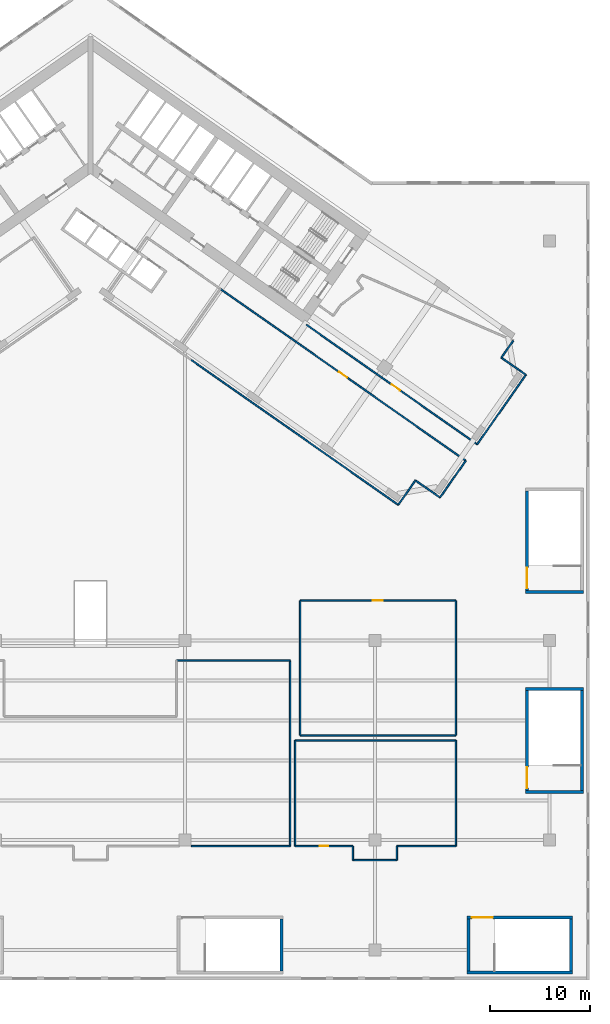
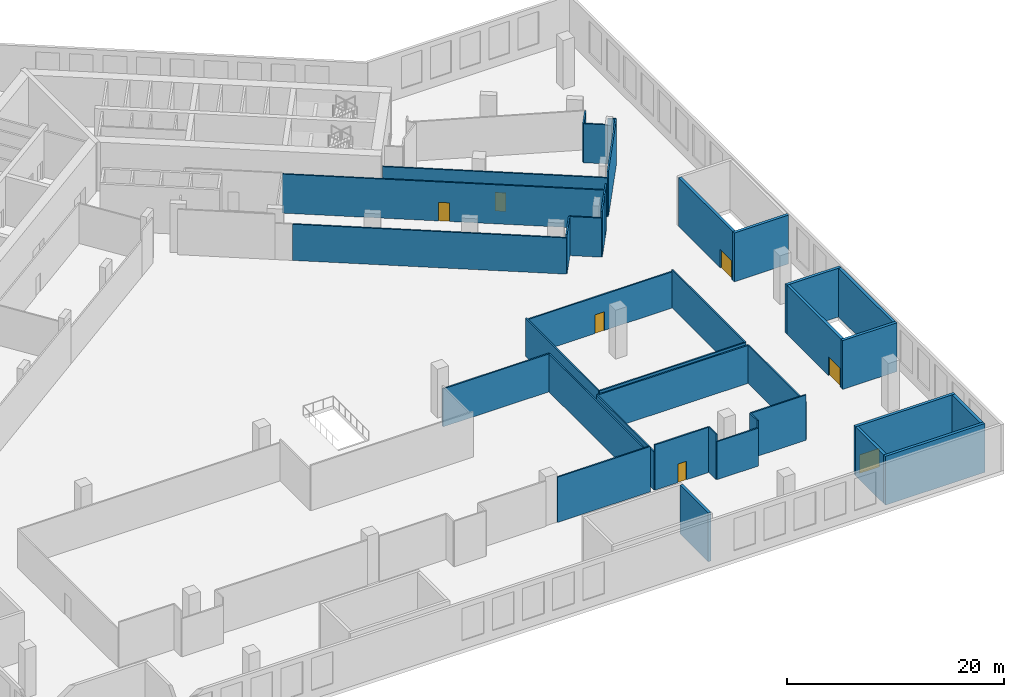
# One storey, part 6 of 15: 37 walls, 7 doors, 7 openings.
"""IFC4 building model written with IfcOpenShell, lengths in metres."""

import ifcopenshell
import ifcopenshell.guid

model = None  # the IFC model being written
_history = None  # IfcOwnerHistory: only IFC2X3 demands one
_inside = {}  # id of a spatial element -> (the spatial element, [elements in it])
_under = {}  # id of a project, library or spatial element -> (it, [spatial elements below it])
_declared = {}  # id of a project -> (the project, [libraries it declares])
_typed = {}  # id of a type object -> (the type object, [elements of that type])
_made_of = {}  # id of a material, layer set ... -> (it, [elements and type objects made of it])


def new_model(schema):
    """Start an empty IFC model of exactly this schema.

    Asked for "IFC4X3", IfcOpenShell would pick the latest addendum, in which some entities
    have other attributes; the version numbers below select the first issue.
    IFC2X3 requires an IfcOwnerHistory on every rooted entity: one is made here for all.
    """
    global model, _history
    if schema == "IFC4X3":
        model = ifcopenshell.file(schema_version=(4, 3, 0, 0))
    else:
        model = ifcopenshell.file(schema=schema)
    _inside.clear()
    _under.clear()
    _declared.clear()
    _typed.clear()
    _made_of.clear()
    _history = None
    if model.schema == "IFC2X3":
        org = make("IfcOrganization", Name="unknown")
        user = make(
            "IfcPersonAndOrganization",
            ThePerson=make("IfcPerson", FamilyName="unknown"),
            TheOrganization=org,
        )
        app = make(
            "IfcApplication",
            ApplicationDeveloper=org,
            Version="unknown",
            ApplicationFullName="unknown",
            ApplicationIdentifier="unknown",
        )
        _history = make(
            "IfcOwnerHistory",
            OwningUser=user,
            OwningApplication=app,
            ChangeAction="ADDED",
            CreationDate=0,
        )
    return model


def make(cls, **values):
    """One entity of the class cls with the attributes given. An attribute that is None is left unset."""
    return model.create_entity(
        cls, **{name: value for name, value in values.items() if value is not None}
    )


def rooted(cls, **values):
    """An entity with a GlobalId (a new one), such as an element, a storey or a relation."""
    return make(cls, GlobalId=ifcopenshell.guid.new(), OwnerHistory=_history, **values)


def si_unit(unit_type, name, prefix=None):
    """IfcSIUnit, for example si_unit("LENGTHUNIT", "METRE", prefix="MILLI")."""
    return make("IfcSIUnit", UnitType=unit_type, Prefix=prefix, Name=name)


def assignment(units):
    """IfcUnitAssignment: the units of a project."""
    return None if units is None else make("IfcUnitAssignment", Units=units)


def point(xyz):
    """IfcCartesianPoint."""
    return None if xyz is None else make("IfcCartesianPoint", Coordinates=xyz)


def direction(xyz):
    """IfcDirection."""
    return None if xyz is None else make("IfcDirection", DirectionRatios=xyz)


def frame(location, z_axis=None, x_axis=None):
    """IfcAxis2Placement3D, a coordinate frame: its origin and axes. An axis left out is left unset."""
    return make(
        "IfcAxis2Placement3D",
        Location=point(location),
        Axis=direction(z_axis),
        RefDirection=direction(x_axis),
    )


def frame_2d(location, x_axis=None):
    """IfcAxis2Placement2D, a coordinate frame in the plane: its origin and x axis."""
    return make(
        "IfcAxis2Placement2D", Location=point(location), RefDirection=direction(x_axis)
    )


def origin():
    """The frame at (0, 0, 0) with its axes left unset."""
    return frame((0.0, 0.0, 0.0))


def place(relative_to, where):
    """IfcLocalPlacement: puts the frame where relative to a parent placement (None: the world)."""
    return make(
        "IfcLocalPlacement", PlacementRelTo=relative_to, RelativePlacement=where
    )


def context(
    kind, dimensions, precision=None, world=None, true_north=None, identifier=None
):
    """IfcGeometricRepresentationContext, for example the 3D "Model" context."""
    return make(
        "IfcGeometricRepresentationContext",
        ContextIdentifier=identifier,
        ContextType=kind,
        CoordinateSpaceDimension=dimensions,
        Precision=precision,
        WorldCoordinateSystem=world,
        TrueNorth=true_north,
    )


def subcontext(parent, identifier, kind, view, scale=None):
    """IfcGeometricRepresentationSubContext, for example "Body" below "Model"."""
    return make(
        "IfcGeometricRepresentationSubContext",
        ContextIdentifier=identifier,
        ContextType=kind,
        ParentContext=parent,
        TargetScale=scale,
        TargetView=view,
    )


def project(units=None, contexts=None):
    """IfcProject with its units and contexts."""
    return rooted(
        "IfcProject",
        Name="project",
        RepresentationContexts=contexts,
        UnitsInContext=assignment(units),
    )


def spatial(cls, under=None, at=None, **own):
    """A site, building, storey or space (cls), placed at a placement, below another one or the project."""
    s = rooted(cls, ObjectPlacement=at, **own)
    if under is not None:
        _under.setdefault(under.id(), (under, []))[1].append(s)
    return s


def profile(cls, at=None, kind="AREA", **sizes):
    """A parametric profile (cls). Its sizes go by their IFC names, for example OverallWidth=200.0."""
    return make(cls, ProfileType=kind, Position=at, **sizes)


def rectangle(**sizes):
    """IfcRectangleProfileDef."""
    return profile("IfcRectangleProfileDef", **sizes)


def extrude(swept, where, along, depth):
    """IfcExtrudedAreaSolid: the profile swept, set in the frame where, extruded along a direction by depth."""
    return make(
        "IfcExtrudedAreaSolid",
        SweptArea=swept,
        Position=where,
        ExtrudedDirection=direction(along),
        Depth=depth,
    )


def shape(context_of_items, identifier, shape_type, items):
    """IfcShapeRepresentation: the items that make up one representation, for example the "Body"."""
    return make(
        "IfcShapeRepresentation",
        ContextOfItems=context_of_items,
        RepresentationIdentifier=identifier,
        RepresentationType=shape_type,
        Items=items,
    )


def material(Name=None, Category=None):
    """IfcMaterial."""
    return make("IfcMaterial", Name=Name, Category=Category)


def layer(
    of_material, thickness, ventilated=None, Name=None, Category=None, Priority=None
):
    """IfcMaterialLayer: one layer of a wall or slab, of a material (None: an air gap)."""
    return make(
        "IfcMaterialLayer",
        Material=of_material,
        LayerThickness=thickness,
        IsVentilated=ventilated,
        Name=Name,
        Category=Category,
        Priority=Priority,
    )


def layer_set(layers, Name=None):
    """IfcMaterialLayerSet."""
    return make("IfcMaterialLayerSet", MaterialLayers=layers, LayerSetName=Name)


def made_of(thing, what):
    """Note that an element or type object is made of a material, layer set ...; save() writes the relation."""
    if what is not None:
        _made_of.setdefault(what.id(), (what, []))[1].append(thing)
    return thing


def type_object(cls, material=None, **own):
    """A type object (cls), such as IfcWallType, which elements share."""
    return made_of(rooted(cls, **own), material)


def element(
    cls,
    number,
    at=None,
    inside=None,
    cuts=None,
    type_object=None,
    material=None,
    context=None,
    identifier="Body",
    shape_type=None,
    held_by="IfcProductDefinitionShape",
    body=None,
    shapes=None,
    **own,
):
    """One element of the class cls, such as IfcWall. Its Tag is "e" and its number.

    at: its placement. inside: the storey or other place that contains it. cuts: it is an
    opening in that element (IfcRelVoidsElement). A single representation is given by context,
    identifier, shape_type and body (its items); several are given by shapes. held_by: the class
    of the entity that holds the representations. save() writes the other relations.
    """
    e = rooted(cls, Tag="e%d" % number, ObjectPlacement=at, **own)
    if body is not None:
        shapes = [shape(context, identifier, shape_type, body)]
    if shapes is not None:
        e.Representation = make(held_by, Representations=shapes)
    if inside is not None:
        _inside.setdefault(inside.id(), (inside, []))[1].append(e)
    if cuts is not None:
        rooted(
            "IfcRelVoidsElement", RelatingBuildingElement=cuts, RelatedOpeningElement=e
        )
    if type_object is not None:
        _typed.setdefault(type_object.id(), (type_object, []))[1].append(e)
    return made_of(e, material)


def fill(opening, filler):
    """IfcRelFillsElement: the door or window that sits in an opening."""
    return rooted(
        "IfcRelFillsElement",
        RelatingOpeningElement=opening,
        RelatedBuildingElement=filler,
    )


def aggregate(whole, parts):
    """IfcRelAggregates: a whole, such as a stair, and the parts it consists of."""
    return rooted("IfcRelAggregates", RelatingObject=whole, RelatedObjects=parts)


def save(model, path):
    """Write the relations noted so far, then the file.

    IfcRelAggregates (storeys below a building ...), IfcRelContainedInSpatialStructure (elements
    in a storey), IfcRelDefinesByType, IfcRelAssociatesMaterial and IfcRelDeclares: one each for
    every whole, place, type object, material and project.
    """
    for whole, parts in _under.values():
        aggregate(whole, parts)
    for where, things in _inside.values():
        rooted(
            "IfcRelContainedInSpatialStructure",
            RelatedElements=things,
            RelatingStructure=where,
        )
    for kind, things in _typed.values():
        rooted("IfcRelDefinesByType", RelatedObjects=things, RelatingType=kind)
    for what, things in _made_of.values():
        rooted("IfcRelAssociatesMaterial", RelatedObjects=things, RelatingMaterial=what)
    for by, libraries in _declared.values():
        rooted("IfcRelDeclares", RelatingContext=by, RelatedDefinitions=libraries)
    model.write(path)


model = new_model("IFC4")

# Units and contexts
model_context = context("Model", 3, precision=1e-05, world=origin(), true_north=direction((0.0, 1.0)))
body_context = subcontext(model_context, "Body", "Model", "MODEL_VIEW")
ifc_project = project(units=[si_unit("LENGTHUNIT", "METRE"), si_unit("AREAUNIT", "SQUARE_METRE"), si_unit("VOLUMEUNIT", "CUBIC_METRE"), si_unit("PLANEANGLEUNIT", "RADIAN"), si_unit("MASSUNIT", "GRAM", prefix="KILO")], contexts=[model_context])

# Site, building, storey
site_placement = place(None, origin())
site = spatial("IfcSite", under=ifc_project, at=site_placement, CompositionType="ELEMENT")
building_placement = place(site_placement, origin())
building = spatial("IfcBuilding", under=site, at=building_placement, Name="Tel Ilan Convention Tower", CompositionType="ELEMENT")
storey_placement = place(building_placement, frame((0.0, 0.0, 43.0)))
storey = spatial("IfcBuildingStorey", under=building, at=storey_placement, Name="L06", CompositionType="ELEMENT", Elevation=43.0)

# Wall, opening, door
ifc_material_1 = material(Name="Plasterboard on Steel Studs", Category="steel")
ifc_layer_1 = layer(ifc_material_1, 0.14990234375)
ifc_layer_set_1 = layer_set([ifc_layer_1], Name="Fire-rated Partition 150 EI 60")
wall_type_1 = type_object("IfcWallType", Name="Fire-rated Partition 150 EI 60", PredefinedType="PARTITIONING", material=ifc_layer_set_1)
wall_1_placement = place(storey_placement, frame((21.641845703125, -16.37451171875, 0.0), z_axis=(0.0, 0.0, 1.0), x_axis=(0.819148965066, -0.573580833911, 0.0)))
wall_1 = element("IfcWall", 1, at=wall_1_placement, inside=storey, type_object=wall_type_1, Name="Partition 001", PredefinedType="PARTITIONING", context=body_context, shape_type="SweptSolid", body=[
    extrude(rectangle(XDim=20.8798828125, YDim=0.14990234375, at=frame_2d((10.43994140625, 0.0))), origin(), (0.0, 0.0, 1.0), 4.39990234375),
])
opening_1_placement = place(wall_1_placement, frame((10.43994140625, 0.0, 0.0)))
opening_1 = element("IfcOpeningElement", 2, at=opening_1_placement, cuts=wall_1, Name="Opening L06-006", PredefinedType="OPENING", context=body_context, shape_type="SweptSolid", body=[
    extrude(rectangle(XDim=1.0, YDim=2.10009765625, at=frame_2d((0.5, 1.050048828125))), frame((0.0, 0.0849609375, 0.0), z_axis=(0.0, -1.0, 0.0), x_axis=(1.0, 0.0, 0.0)), (0.0, 0.0, 1.0), 0.169921875),
])
ifc_material_2 = material(Name="Timber Door Leaf in Steel Frame", Category="steel")
door_type_1 = type_object("IfcDoorType", Name="Plant Room Fire Door 1000x2100", OperationType="NOTDEFINED", PredefinedType="DOOR", material=ifc_material_2)
door_1_placement = place(opening_1_placement, origin())
door_1 = element("IfcDoor", 3, at=door_1_placement, inside=storey, type_object=door_type_1, Name="Door L06-006", OperationType="SINGLE_SWING_LEFT", OverallHeight=2.10009765625, OverallWidth=1.0, PredefinedType="DOOR", context=body_context, shape_type="SweptSolid", body=[
    extrude(rectangle(XDim=1.0, YDim=2.10009765625, at=frame_2d((0.5, 1.050048828125))), frame((0.0, 0.02490234375, 0.0), z_axis=(0.0, -1.0, 0.0), x_axis=(1.0, 0.0, 0.0)), (0.0, 0.0, 1.0), 0.050048828125),
])
fill(opening_1, door_1)

wall_2_placement = place(storey_placement, frame((37.5986328125, -29.989013671875, 0.0), z_axis=(0.0, 0.0, 1.0), x_axis=(-0.819154688631, 0.57357265982, 0.0)))
wall_2 = element("IfcWall", 4, at=wall_2_placement, inside=storey, type_object=wall_type_1, Name="Partition 003", PredefinedType="PARTITIONING", context=body_context, shape_type="SweptSolid", body=[
    extrude(rectangle(XDim=30.001953125, YDim=0.14990234375, at=frame_2d((15.0009765625, 0.0))), origin(), (0.0, 0.0, 1.0), 4.39990234375),
])
opening_2_placement = place(wall_2_placement, frame((14.5009765625, 0.0, 0.0)))
opening_2 = element("IfcOpeningElement", 5, at=opening_2_placement, cuts=wall_2, Name="Opening L06-005", PredefinedType="OPENING", context=body_context, shape_type="SweptSolid", body=[
    extrude(rectangle(XDim=1.0, YDim=2.10009765625, at=frame_2d((0.5, 1.050048828125))), frame((0.0, 0.0849609375, 0.0), z_axis=(0.0, -1.0, 0.0), x_axis=(1.0, 0.0, 0.0)), (0.0, 0.0, 1.0), 0.169921875),
])
door_2_placement = place(opening_2_placement, origin())
door_2 = element("IfcDoor", 6, at=door_2_placement, inside=storey, type_object=door_type_1, Name="Door L06-005", OperationType="SINGLE_SWING_LEFT", OverallHeight=2.10009765625, OverallWidth=1.0, PredefinedType="DOOR", context=body_context, shape_type="SweptSolid", body=[
    extrude(rectangle(XDim=1.0, YDim=2.10009765625, at=frame_2d((0.5, 1.050048828125))), frame((0.0, 0.02490234375, 0.0), z_axis=(0.0, -1.0, 0.0), x_axis=(1.0, 0.0, 0.0)), (0.0, 0.0, 1.0), 0.050048828125),
])
fill(opening_2, door_2)

# Walls
wall_3_placement = place(storey_placement, frame((42.357421875, -17.96240234375, 0.0), z_axis=(0.0, 0.0, 1.0), x_axis=(-0.573533201177, -0.819182316183, 0.0)))
element("IfcWall", 7, at=wall_3_placement, inside=storey, type_object=wall_type_1, Name="Partition 007", PredefinedType="PARTITIONING", context=body_context, shape_type="SweptSolid", body=[
    extrude(rectangle(XDim=2.0810546875, YDim=0.14990234375, at=frame_2d((1.04052734375, 0.0))), origin(), (0.0, 0.0, 1.0), 4.39990234375),
])
wall_4_placement = place(storey_placement, frame((41.163818359375, -19.667236328125, 0.0), z_axis=(0.0, 0.0, 1.0), x_axis=(0.81912956014, -0.573608545704, 0.0)))
element("IfcWall", 8, at=wall_4_placement, inside=storey, type_object=wall_type_1, Name="Partition 008", PredefinedType="PARTITIONING", context=body_context, shape_type="SweptSolid", body=[
    extrude(rectangle(XDim=2.2412109375, YDim=0.14990234375, at=frame_2d((1.12060546875, 0.0))), origin(), (0.0, 0.0, 1.0), 4.39990234375),
])
wall_5_placement = place(storey_placement, frame((42.998046875, -20.95166015625, 0.0), z_axis=(0.0, 0.0, 1.0), x_axis=(0.819141432686, -0.573591590992, 0.0)))
element("IfcWall", 9, at=wall_5_placement, inside=storey, type_object=wall_type_1, Name="Partition 009", PredefinedType="PARTITIONING", context=body_context, shape_type="SweptSolid", body=[
    extrude(rectangle(XDim=0.760498046875, YDim=0.14990234375, at=frame_2d((0.38037109375, 0.0))), origin(), (0.0, 0.0, 1.0), 5.10009765625),
])
wall_6_placement = place(storey_placement, frame((43.62109375, -21.387939453125, 0.0), z_axis=(0.0, 0.0, 1.0), x_axis=(-0.57357799764, -0.819150951061, 0.0)))
element("IfcWall", 10, at=wall_6_placement, inside=storey, type_object=wall_type_1, Name="Partition 010", PredefinedType="PARTITIONING", context=body_context, shape_type="SweptSolid", body=[
    extrude(rectangle(XDim=8.500244140625, YDim=0.14990234375, at=frame_2d((4.25, 0.0))), origin(), (0.0, 0.0, 1.0), 5.10009765625),
])
wall_7_placement = place(storey_placement, frame((32.56005859375, -31.95458984375, 0.0), z_axis=(0.0, 0.0, 1.0), x_axis=(-0.573560650686, -0.819163097304, 0.0)))
element("IfcWall", 11, at=wall_7_placement, inside=storey, type_object=wall_type_1, Name="Partition 021", PredefinedType="PARTITIONING", context=body_context, shape_type="SweptSolid", body=[
    extrude(rectangle(XDim=3.0, YDim=0.14990234375, at=frame_2d((1.5, 0.0))), origin(), (0.0, 0.0, 1.0), 4.39990234375),
])
wall_8_placement = place(storey_placement, frame((30.83935546875, -34.412109375, 0.0), z_axis=(0.0, 0.0, 1.0), x_axis=(-0.819153188106, 0.573574802808, 0.0)))
element("IfcWall", 12, at=wall_8_placement, inside=storey, type_object=wall_type_1, Name="Partition 022", PredefinedType="PARTITIONING", context=body_context, shape_type="SweptSolid", body=[
    extrude(rectangle(XDim=25.3505859375, YDim=0.14990234375, at=frame_2d((12.67529296875, 0.0))), origin(), (0.0, 0.0, 1.0), 4.080078125),
])
wall_9_placement = place(storey_placement, frame((36.59912109375, -31.41650390625, 0.0), z_axis=(0.0, 0.0, 1.0), x_axis=(-0.573557416232, -0.819165361991, 0.0)))
element("IfcWall", 13, at=wall_9_placement, inside=storey, type_object=wall_type_1, Name="Partition 023", PredefinedType="PARTITIONING", context=body_context, shape_type="SweptSolid", body=[
    extrude(rectangle(XDim=2.75732421875, YDim=0.14990234375, at=frame_2d((1.378662109375, 0.0))), origin(), (0.0, 0.0, 1.0), 5.10009765625),
])
wall_10_placement = place(storey_placement, frame((35.017578125, -33.67529296875, 0.0), z_axis=(0.0, 0.0, 1.0), x_axis=(-0.819163097304, 0.573560650686, 0.0)))
element("IfcWall", 14, at=wall_10_placement, inside=storey, type_object=wall_type_1, Name="Partition 024", PredefinedType="PARTITIONING", context=body_context, shape_type="SweptSolid", body=[
    extrude(rectangle(XDim=3.0, YDim=0.14990234375, at=frame_2d((1.5, 0.0))), origin(), (0.0, 0.0, 1.0), 4.39990234375),
])
wall_11_placement = place(storey_placement, frame((37.5986328125, -29.989013671875, 0.0), z_axis=(0.0, 0.0, 1.0), x_axis=(-0.573575034625, -0.819153025786, 0.0)))
element("IfcWall", 15, at=wall_11_placement, inside=storey, type_object=wall_type_1, Name="Partition 025", PredefinedType="PARTITIONING", context=body_context, shape_type="SweptSolid", body=[
    extrude(rectangle(XDim=1.74462890625, YDim=0.14990234375, at=frame_2d((0.872314453125, 0.0))), origin(), (0.0, 0.0, 1.0), 5.10009765625),
])
wall_12_placement = place(storey_placement, frame((20.0009765625, -68.59912109375, 0.0), z_axis=(0.0, 0.0, 1.0), x_axis=(0.0, 1.0, 0.0)))
element("IfcWall", 16, at=wall_12_placement, inside=storey, type_object=wall_type_1, Name="Partition 027", PredefinedType="PARTITIONING", context=body_context, shape_type="SweptSolid", body=[
    extrude(rectangle(XDim=18.59912109375, YDim=0.14990234375, at=frame_2d((9.299560546875, 0.0))), origin(), (0.0, 0.0, 1.0), 4.280029296875),
])
wall_13_placement = place(storey_placement, frame((20.0, -49.9990234375, 0.0), z_axis=(0.0, 0.0, 1.0), x_axis=(-1.0, 0.0, 0.0)))
element("IfcWall", 17, at=wall_13_placement, inside=storey, type_object=wall_type_1, Name="Partition 028", PredefinedType="PARTITIONING", context=body_context, shape_type="SweptSolid", body=[
    extrude(rectangle(XDim=11.34912109375, YDim=0.14990234375, at=frame_2d((5.674560546875, 0.0))), origin(), (0.0, 0.0, 1.0), 4.280029296875),
])
wall_14_placement = place(storey_placement, frame((36.59912109375, -57.9990234375, 0.0), z_axis=(0.0, 0.0, 1.0), x_axis=(-1.0, 0.0, 0.0)))
element("IfcWall", 18, at=wall_14_placement, inside=storey, type_object=wall_type_1, Name="Partition 030", PredefinedType="PARTITIONING", context=body_context, shape_type="SweptSolid", body=[
    extrude(rectangle(XDim=16.09912109375, YDim=0.14990234375, at=frame_2d((8.049560546875, 0.0))), origin(), (0.0, 0.0, 1.0), 4.280029296875),
])
wall_15_placement = place(storey_placement, frame((20.4990234375, -58.0, 0.0), z_axis=(0.0, 0.0, 1.0), x_axis=(0.0, -1.0, 0.0)))
element("IfcWall", 19, at=wall_15_placement, inside=storey, type_object=wall_type_1, Name="Partition 031", PredefinedType="PARTITIONING", context=body_context, shape_type="SweptSolid", body=[
    extrude(rectangle(XDim=10.59912109375, YDim=0.14990234375, at=frame_2d((5.299560546875, 0.0))), origin(), (0.0, 0.0, 1.0), 4.280029296875),
])

# Wall, opening, door
wall_16_placement = place(storey_placement, frame((36.59912109375, -43.9990234375, 0.0), z_axis=(0.0, 0.0, 1.0), x_axis=(-1.0, 0.0, 0.0)))
wall_16 = element("IfcWall", 20, at=wall_16_placement, inside=storey, type_object=wall_type_1, Name="Partition 032", PredefinedType="PARTITIONING", context=body_context, shape_type="SweptSolid", body=[
    extrude(rectangle(XDim=15.59912109375, YDim=0.14990234375, at=frame_2d((7.799560546875, 0.0))), origin(), (0.0, 0.0, 1.0), 4.080078125),
])
opening_3_placement = place(wall_16_placement, frame((7.299560546875, 0.0, 0.0)))
opening_3 = element("IfcOpeningElement", 21, at=opening_3_placement, cuts=wall_16, Name="Opening L06-009", PredefinedType="OPENING", context=body_context, shape_type="SweptSolid", body=[
    extrude(rectangle(XDim=1.0, YDim=2.10009765625, at=frame_2d((0.5, 1.050048828125))), frame((0.0, 0.0849609375, 0.0), z_axis=(0.0, -1.0, 0.0), x_axis=(1.0, 0.0, 0.0)), (0.0, 0.0, 1.0), 0.169921875),
])
door_3_placement = place(opening_3_placement, origin())
door_3 = element("IfcDoor", 22, at=door_3_placement, inside=storey, type_object=door_type_1, Name="Door L06-009", OperationType="SINGLE_SWING_RIGHT", OverallHeight=2.10009765625, OverallWidth=1.0, PredefinedType="DOOR", context=body_context, shape_type="SweptSolid", body=[
    extrude(rectangle(XDim=1.0, YDim=2.10009765625, at=frame_2d((0.5, 1.050048828125))), frame((0.0, 0.02490234375, 0.0), z_axis=(0.0, -1.0, 0.0), x_axis=(1.0, 0.0, 0.0)), (0.0, 0.0, 1.0), 0.050048828125),
])
fill(opening_3, door_3)

# Walls
wall_17_placement = place(storey_placement, frame((20.9990234375, -44.0, 0.0), z_axis=(0.0, 0.0, 1.0), x_axis=(0.0, -1.0, 0.0)))
element("IfcWall", 23, at=wall_17_placement, inside=storey, type_object=wall_type_1, Name="Partition 033", PredefinedType="PARTITIONING", context=body_context, shape_type="SweptSolid", body=[
    extrude(rectangle(XDim=13.5, YDim=0.14990234375, at=frame_2d((6.75, 0.0))), origin(), (0.0, 0.0, 1.0), 4.280029296875),
])
wall_18_placement = place(storey_placement, frame((21.0, -57.5009765625, 0.0), z_axis=(0.0, 0.0, 1.0), x_axis=(1.0, 0.0, 0.0)))
element("IfcWall", 24, at=wall_18_placement, inside=storey, type_object=wall_type_1, Name="Partition 034", PredefinedType="PARTITIONING", context=body_context, shape_type="SweptSolid", body=[
    extrude(rectangle(XDim=15.59912109375, YDim=0.14990234375, at=frame_2d((7.799560546875, 0.0))), origin(), (0.0, 0.0, 1.0), 4.280029296875),
])
wall_19_placement = place(storey_placement, frame((26.301025390625, -70.0009765625, 0.0), z_axis=(0.0, 0.0, 1.0), x_axis=(1.0, 0.0, 0.0)))
element("IfcWall", 25, at=wall_19_placement, inside=storey, type_object=wall_type_1, Name="Partition 040", PredefinedType="PARTITIONING", context=body_context, shape_type="SweptSolid", body=[
    extrude(rectangle(XDim=4.39794921875, YDim=0.14990234375, at=frame_2d((2.198974609375, 0.0))), origin(), (0.0, 0.0, 1.0), 4.280029296875),
])
wall_20_placement = place(storey_placement, frame((10.1201171875, -68.60009765625, 0.0), z_axis=(0.0, 0.0, 1.0), x_axis=(1.0, 0.0, 0.0)))
element("IfcWall", 26, at=wall_20_placement, inside=storey, type_object=wall_type_1, Name="Partition 054", PredefinedType="PARTITIONING", context=body_context, shape_type="SweptSolid", body=[
    extrude(rectangle(XDim=9.881591796875, YDim=0.14990234375, at=frame_2d((4.94091796875, 0.0))), origin(), (0.0, 0.0, 1.0), 5.10009765625),
])

# Wall, opening, door
wall_21_placement = place(storey_placement, frame((20.498291015625, -68.60009765625, 0.0), z_axis=(0.0, 0.0, 1.0), x_axis=(1.0, 0.0, 0.0)))
wall_21 = element("IfcWall", 27, at=wall_21_placement, inside=storey, type_object=wall_type_1, Name="Partition 055", PredefinedType="PARTITIONING", context=body_context, shape_type="SweptSolid", body=[
    extrude(rectangle(XDim=5.8017578125, YDim=0.14990234375, at=frame_2d((2.90087890625, 0.0))), origin(), (0.0, 0.0, 1.0), 5.10009765625),
])
opening_4_placement = place(wall_21_placement, frame((2.450927734375, 0.0, 0.0)))
opening_4 = element("IfcOpeningElement", 28, at=opening_4_placement, cuts=wall_21, Name="Opening L06-008", PredefinedType="OPENING", context=body_context, shape_type="SweptSolid", body=[
    extrude(rectangle(XDim=0.89990234375, YDim=2.10009765625, at=frame_2d((0.449951171875, 1.050048828125))), frame((0.0, 0.0849609375, 0.0), z_axis=(0.0, -1.0, 0.0), x_axis=(1.0, 0.0, 0.0)), (0.0, 0.0, 1.0), 0.169921875),
])
ifc_material_3 = material(Name="Timber Door Leaf in Steel Frame", Category="steel")
door_type_2 = type_object("IfcDoorType", Name="Riser and Service Fire Door 900x2100", OperationType="NOTDEFINED", PredefinedType="DOOR", material=ifc_material_3)
door_4_placement = place(opening_4_placement, origin())
door_4 = element("IfcDoor", 29, at=door_4_placement, inside=storey, type_object=door_type_2, Name="Door L06-008", OperationType="SINGLE_SWING_LEFT", OverallHeight=2.10009765625, OverallWidth=0.89990234375, PredefinedType="DOOR", context=body_context, shape_type="SweptSolid", body=[
    extrude(rectangle(XDim=0.89990234375, YDim=2.10009765625, at=frame_2d((0.449951171875, 1.050048828125))), frame((0.0, 0.02490234375, 0.0), z_axis=(0.0, -1.0, 0.0), x_axis=(1.0, 0.0, 0.0)), (0.0, 0.0, 1.0), 0.050048828125),
])
fill(opening_4, door_4)

# Walls
for number, where, z_axis, x_axis, name in (
    (30, (26.300048828125, -68.60009765625, 0.0), (0.0, 0.0, 1.0), (0.0, -1.0, 0.0), "Partition 056"),
    (31, (30.699951171875, -70.001708984375, 0.0), (0.0, 0.0, 1.0), (0.0, 1.0, 0.0), "Partition 057"),
):
    element("IfcWall", number, at=place(storey_placement, frame(where, z_axis=z_axis, x_axis=x_axis)), inside=storey, type_object=wall_type_1, Name=name, PredefinedType="PARTITIONING", context=body_context, shape_type="SweptSolid", body=[
        extrude(rectangle(XDim=1.401611328125, YDim=0.14990234375, at=frame_2d((0.70068359375, 0.0))), origin(), (0.0, 0.0, 1.0), 5.10009765625),
    ])
wall_22_placement = place(storey_placement, frame((30.699951171875, -68.60009765625, 0.0), z_axis=(0.0, 0.0, 1.0), x_axis=(1.0, 0.0, 0.0)))
element("IfcWall", 32, at=wall_22_placement, inside=storey, type_object=wall_type_1, Name="Partition 058", PredefinedType="PARTITIONING", context=body_context, shape_type="SweptSolid", body=[
    extrude(rectangle(XDim=5.900146484375, YDim=0.14990234375, at=frame_2d((2.9501953125, 0.0))), origin(), (0.0, 0.0, 1.0), 5.10009765625),
])
wall_23_placement = place(storey_placement, frame((36.60009765625, -68.60009765625, 0.0), z_axis=(0.0, 0.0, 1.0), x_axis=(0.0, 1.0, 0.0)))
element("IfcWall", 33, at=wall_23_placement, inside=storey, type_object=wall_type_1, Name="Partition 059", PredefinedType="PARTITIONING", context=body_context, shape_type="SweptSolid", body=[
    extrude(rectangle(XDim=10.601806640625, YDim=0.14990234375, at=frame_2d((5.30078125, 0.0))), origin(), (0.0, 0.0, 1.0), 4.280029296875),
])
wall_24_placement = place(storey_placement, frame((36.60009765625, -57.501708984375, 0.0), z_axis=(0.0, 0.0, 1.0), x_axis=(0.0, 1.0, 0.0)))
element("IfcWall", 34, at=wall_24_placement, inside=storey, type_object=wall_type_1, Name="Partition 060", PredefinedType="PARTITIONING", context=body_context, shape_type="SweptSolid", body=[
    extrude(rectangle(XDim=13.50341796875, YDim=0.14990234375, at=frame_2d((6.751708984375, 0.0))), origin(), (0.0, 0.0, 1.0), 4.280029296875),
])
ifc_material_4 = material(Name="Concrete C40/50", Category="concrete")
ifc_layer_2 = layer(ifc_material_4, 0.300048828125)
ifc_layer_set_2 = layer_set([ifc_layer_2], Name="Stair Enclosure Wall 300 mm C40/50")
wall_type_2 = type_object("IfcWallType", Name="Stair Enclosure Wall 300 mm C40/50", PredefinedType="SOLIDWALL", material=ifc_layer_set_2)
wall_25_placement = place(storey_placement, frame((19.14990234375, -81.10009765625, 0.0), z_axis=(0.0, 0.0, 1.0), x_axis=(0.0, 1.0, 0.0)))
element("IfcWall", 35, at=wall_25_placement, inside=storey, type_object=wall_type_2, Name="P3 stair enclosure wall E L06", PredefinedType="SOLIDWALL", context=body_context, shape_type="SweptSolid", body=[
    extrude(rectangle(XDim=5.2001953125, YDim=0.300048828125, at=frame_2d((2.60009765625, 0.0))), origin(), (0.0, 0.0, 1.0), 5.5),
])
wall_26_placement = place(storey_placement, frame((37.699951171875, -81.25, 0.0), z_axis=(0.0, 0.0, 1.0), x_axis=(1.0, 0.0, 0.0)))
element("IfcWall", 36, at=wall_26_placement, inside=storey, type_object=wall_type_2, Name="P4 stair enclosure wall S L06", PredefinedType="SOLIDWALL", context=body_context, shape_type="SweptSolid", body=[
    extrude(rectangle(XDim=10.60009765625, YDim=0.300048828125, at=frame_2d((5.300048828125, 0.0))), origin(), (0.0, 0.0, 1.0), 5.5),
])

# Wall, opening, door
wall_27_placement = place(storey_placement, frame((37.699951171875, -75.75, 0.0), z_axis=(0.0, 0.0, 1.0), x_axis=(1.0, 0.0, 0.0)))
wall_27 = element("IfcWall", 37, at=wall_27_placement, inside=storey, type_object=wall_type_2, Name="P4 stair enclosure wall N L06", PredefinedType="SOLIDWALL", context=body_context, shape_type="SweptSolid", body=[
    extrude(rectangle(XDim=10.60009765625, YDim=0.300048828125, at=frame_2d((5.300048828125, 0.0))), origin(), (0.0, 0.0, 1.0), 5.5),
])
opening_5_placement = place(wall_27_placement, frame((0.512451171875, 0.0, 0.0)))
opening_5 = element("IfcOpeningElement", 38, at=opening_5_placement, cuts=wall_27, Name="Opening PD409", PredefinedType="OPENING", context=body_context, shape_type="SweptSolid", body=[
    extrude(rectangle(XDim=2.10009765625, YDim=2.10009765625, at=frame_2d((1.050048828125, 1.050048828125))), frame((0.0, 0.159912109375, 0.0), z_axis=(0.0, -1.0, 0.0), x_axis=(1.0, 0.0, 0.0)), (0.0, 0.0, 1.0), 0.320068359375),
])
ifc_material_5 = material(Name="Galvanised Steel Door Leaf", Category="steel")
door_type_3 = type_object("IfcDoorType", Name="Stair Fire Door 2100 x 2100 FD60S", OperationType="NOTDEFINED", PredefinedType="DOOR", material=ifc_material_5)
door_5_placement = place(opening_5_placement, origin())
door_5 = element("IfcDoor", 39, at=door_5_placement, inside=storey, type_object=door_type_3, Name="Stair P4 floor door", OperationType="DOUBLE_DOOR_SINGLE_SWING", OverallHeight=2.10009765625, OverallWidth=2.10009765625, PredefinedType="DOOR", context=body_context, shape_type="SweptSolid", body=[
    extrude(rectangle(XDim=2.10009765625, YDim=2.10009765625, at=frame_2d((1.050048828125, 1.050048828125))), frame((0.0, 0.02490234375, 0.0), z_axis=(0.0, -1.0, 0.0), x_axis=(1.0, 0.0, 0.0)), (0.0, 0.0, 1.0), 0.050048828125),
])
fill(opening_5, door_5)

# Walls
for number, where, z_axis, x_axis, name in (
    (40, (37.85009765625, -81.10009765625, 0.0), (0.0, 0.0, 1.0), (0.0, 1.0, 0.0), "P4 stair enclosure wall W L06"),
    (41, (48.14990234375, -81.10009765625, 0.0), (0.0, 0.0, 1.0), (0.0, 1.0, 0.0), "P4 stair enclosure wall E L06"),
):
    element("IfcWall", number, at=place(storey_placement, frame(where, z_axis=z_axis, x_axis=x_axis)), inside=storey, type_object=wall_type_2, Name=name, PredefinedType="SOLIDWALL", context=body_context, shape_type="SweptSolid", body=[
        extrude(rectangle(XDim=5.2001953125, YDim=0.300048828125, at=frame_2d((2.60009765625, 0.0))), origin(), (0.0, 0.0, 1.0), 5.5),
    ])
for number, where, z_axis, x_axis, name in (
    (42, (43.60009765625, -63.14990234375, 0.0), (0.0, 0.0, 1.0), (1.0, 0.0, 0.0), "P6 stair enclosure wall S L06"),
    (43, (43.60009765625, -52.85009765625, 0.0), (0.0, 0.0, 1.0), (1.0, 0.0, 0.0), "P6 stair enclosure wall N L06"),
):
    element("IfcWall", number, at=place(storey_placement, frame(where, z_axis=z_axis, x_axis=x_axis)), inside=storey, type_object=wall_type_2, Name=name, PredefinedType="SOLIDWALL", context=body_context, shape_type="SweptSolid", body=[
        extrude(rectangle(XDim=5.7998046875, YDim=0.300048828125, at=frame_2d((2.89990234375, 0.0))), origin(), (0.0, 0.0, 1.0), 5.5),
    ])

# Wall, opening, door
wall_28_placement = place(storey_placement, frame((43.75, -63.0, 0.0), z_axis=(0.0, 0.0, 1.0), x_axis=(0.0, 1.0, 0.0)))
wall_28 = element("IfcWall", 44, at=wall_28_placement, inside=storey, type_object=wall_type_2, Name="P6 stair enclosure wall W L06", PredefinedType="SOLIDWALL", context=body_context, shape_type="SweptSolid", body=[
    extrude(rectangle(XDim=10.0, YDim=0.300048828125, at=frame_2d((5.0, 0.0))), origin(), (0.0, 0.0, 1.0), 5.5),
])
opening_6_placement = place(wall_28_placement, frame((0.21240234375, 0.0, 0.0)))
opening_6 = element("IfcOpeningElement", 45, at=opening_6_placement, cuts=wall_28, Name="Opening PD609", PredefinedType="OPENING", context=body_context, shape_type="SweptSolid", body=[
    extrude(rectangle(XDim=2.10009765625, YDim=2.10009765625, at=frame_2d((1.050048828125, 1.050048828125))), frame((0.0, 0.159912109375, 0.0), z_axis=(0.0, -1.0, 0.0), x_axis=(1.0, 0.0, 0.0)), (0.0, 0.0, 1.0), 0.320068359375),
])
door_6_placement = place(opening_6_placement, origin())
door_6 = element("IfcDoor", 46, at=door_6_placement, inside=storey, type_object=door_type_3, Name="Stair P6 floor door", OperationType="DOUBLE_DOOR_SINGLE_SWING", OverallHeight=2.10009765625, OverallWidth=2.10009765625, PredefinedType="DOOR", context=body_context, shape_type="SweptSolid", body=[
    extrude(rectangle(XDim=2.10009765625, YDim=2.10009765625, at=frame_2d((1.050048828125, 1.050048828125))), frame((0.0, 0.02490234375, 0.0), z_axis=(0.0, -1.0, 0.0), x_axis=(1.0, 0.0, 0.0)), (0.0, 0.0, 1.0), 0.050048828125),
])
fill(opening_6, door_6)

# Walls
wall_29_placement = place(storey_placement, frame((49.25, -63.0, 0.0), z_axis=(0.0, 0.0, 1.0), x_axis=(0.0, 1.0, 0.0)))
element("IfcWall", 47, at=wall_29_placement, inside=storey, type_object=wall_type_2, Name="P6 stair enclosure wall E L06", PredefinedType="SOLIDWALL", context=body_context, shape_type="SweptSolid", body=[
    extrude(rectangle(XDim=10.0, YDim=0.300048828125, at=frame_2d((5.0, 0.0))), origin(), (0.0, 0.0, 1.0), 5.5),
])
wall_30_placement = place(storey_placement, frame((43.60009765625, -43.14990234375, 0.0), z_axis=(0.0, 0.0, 1.0), x_axis=(1.0, 0.0, 0.0)))
element("IfcWall", 48, at=wall_30_placement, inside=storey, type_object=wall_type_2, Name="P8 stair enclosure wall S L06", PredefinedType="SOLIDWALL", context=body_context, shape_type="SweptSolid", body=[
    extrude(rectangle(XDim=5.7998046875, YDim=0.300048828125, at=frame_2d((2.89990234375, 0.0))), origin(), (0.0, 0.0, 1.0), 5.5),
])

# Wall, opening, door
wall_31_placement = place(storey_placement, frame((43.75, -43.0, 0.0), z_axis=(0.0, 0.0, 1.0), x_axis=(0.0, 1.0, 0.0)))
wall_31 = element("IfcWall", 49, at=wall_31_placement, inside=storey, type_object=wall_type_2, Name="P8 stair enclosure wall W L06", PredefinedType="SOLIDWALL", context=body_context, shape_type="SweptSolid", body=[
    extrude(rectangle(XDim=10.0, YDim=0.300048828125, at=frame_2d((5.0, 0.0))), origin(), (0.0, 0.0, 1.0), 5.5),
])
opening_7_placement = place(wall_31_placement, frame((0.21240234375, 0.0, 0.0)))
opening_7 = element("IfcOpeningElement", 50, at=opening_7_placement, cuts=wall_31, Name="Opening PD809", PredefinedType="OPENING", context=body_context, shape_type="SweptSolid", body=[
    extrude(rectangle(XDim=2.10009765625, YDim=2.10009765625, at=frame_2d((1.050048828125, 1.050048828125))), frame((0.0, 0.159912109375, 0.0), z_axis=(0.0, -1.0, 0.0), x_axis=(1.0, 0.0, 0.0)), (0.0, 0.0, 1.0), 0.320068359375),
])
door_7_placement = place(opening_7_placement, origin())
door_7 = element("IfcDoor", 51, at=door_7_placement, inside=storey, type_object=door_type_3, Name="Stair P8 floor door", OperationType="DOUBLE_DOOR_SINGLE_SWING", OverallHeight=2.10009765625, OverallWidth=2.10009765625, PredefinedType="DOOR", context=body_context, shape_type="SweptSolid", body=[
    extrude(rectangle(XDim=2.10009765625, YDim=2.10009765625, at=frame_2d((1.050048828125, 1.050048828125))), frame((0.0, 0.02490234375, 0.0), z_axis=(0.0, -1.0, 0.0), x_axis=(1.0, 0.0, 0.0)), (0.0, 0.0, 1.0), 0.050048828125),
])
fill(opening_7, door_7)

save(model, "model.ifc")
